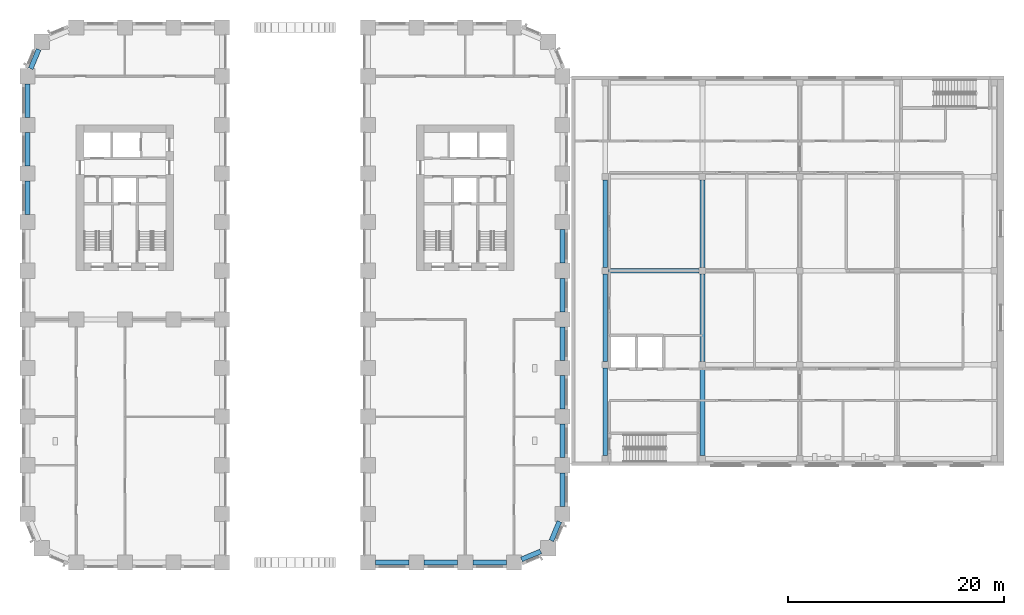
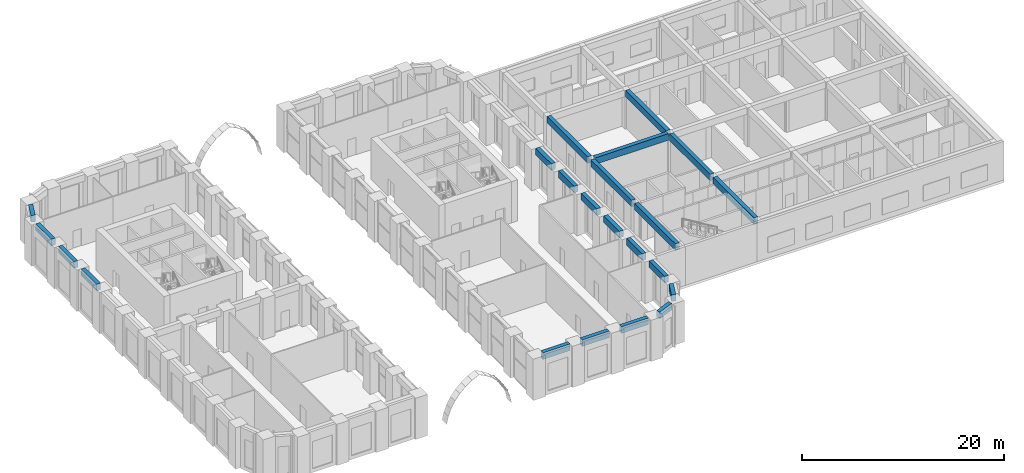
# One storey, part 4 of 24: 22 beams.
"""IFC4 building model written with IfcOpenShell, lengths in metres."""

from ifc_helpers import new_model, si_unit, direction, frame, origin, origin_2d, place, context, subcontext, project, spatial, rectangle, extrude, material, material_profile, profile_set, type_object, element, save


model = new_model("IFC4")

# Units and contexts
model_context = context("Model", 3, precision=1e-05, world=origin(), true_north=direction((0.0, 1.0)))
body_context = subcontext(model_context, "Body", "Model", "MODEL_VIEW")
ifc_project = project(units=[si_unit("LENGTHUNIT", "METRE"), si_unit("AREAUNIT", "SQUARE_METRE"), si_unit("VOLUMEUNIT", "CUBIC_METRE"), si_unit("PLANEANGLEUNIT", "RADIAN"), si_unit("MASSUNIT", "GRAM", prefix="KILO")], contexts=[model_context])

# Site, building, storey
site_placement = place(None, origin())
site = spatial("IfcSite", under=ifc_project, at=site_placement, CompositionType="ELEMENT")
building_placement = place(site_placement, origin())
building = spatial("IfcBuilding", under=site, at=building_placement, Name="Girih Gate Residences", CompositionType="ELEMENT")
storey_placement = place(building_placement, frame((0.0, 0.0, 11.0)))
storey = spatial("IfcBuildingStorey", under=building, at=storey_placement, Name="L02", CompositionType="ELEMENT", Elevation=11.0)

# Beams
ifc_material_1 = material(Name="Concrete C40/50", Category="concrete")
ifc_material_profile_1 = material_profile(ifc_material_1, rectangle(XDim=0.449951171875, YDim=0.800048828125, at=origin_2d()))
ifc_profile_set_1 = profile_set([ifc_material_profile_1], Name="Concrete C40/50")
beam_type_1 = type_object("IfcBeamType", Name="HC Beam 450x800 C40/50", PredefinedType="BEAM", material=ifc_profile_set_1)
beam_1_placement = place(storey_placement, frame((53.75, 27.0, 4.300048828125), z_axis=(1.0, 0.0, 0.0), x_axis=(0.0, 1.0, 0.0)))
element("IfcBeam", 1, at=beam_1_placement, inside=storey, type_object=beam_type_1, Name="L02 beam HC.1", PredefinedType="BEAM", context=body_context, shape_type="SweptSolid", body=[
    extrude(rectangle(XDim=0.449951171875, YDim=0.800048828125, at=origin_2d()), origin(), (0.0, 0.0, 1.0), 8.39990234375),
])
beam_2_placement = place(storey_placement, frame((53.449951171875, 9.89990234375, 4.300048828125), z_axis=(0.0, 1.0, 0.0), x_axis=(-1.0, 0.0, 0.0)))
element("IfcBeam", 2, at=beam_2_placement, inside=storey, type_object=beam_type_1, Name="L02 beam H1.1", PredefinedType="BEAM", context=body_context, shape_type="SweptSolid", body=[
    extrude(rectangle(XDim=0.449951171875, YDim=0.800048828125, at=origin_2d()), origin(), (0.0, 0.0, 1.0), 8.10009765625),
])
for number, where, z_axis, x_axis, name in (
    (3, (53.449951171875, 18.60009765625, 4.300048828125), (0.0, 1.0, 0.0), (-1.0, 0.0, 0.0), "L02 beam H1.2"),
    (4, (53.449951171875, 27.300048828125, 4.300048828125), (0.0, 1.0, 0.0), (-1.0, 0.0, 0.0), "L02 beam H1.3"),
):
    element("IfcBeam", number, at=place(storey_placement, frame(where, z_axis=z_axis, x_axis=x_axis)), inside=storey, type_object=beam_type_1, Name=name, PredefinedType="BEAM", context=body_context, shape_type="SweptSolid", body=[
        extrude(rectangle(XDim=0.449951171875, YDim=0.800048828125, at=origin_2d()), origin(), (0.0, 0.0, 1.0), 8.099853515625),
    ])
beam_3_placement = place(storey_placement, frame((62.449951171875, 9.89990234375, 4.300048828125), z_axis=(0.0, 1.0, 0.0), x_axis=(-1.0, 0.0, 0.0)))
element("IfcBeam", 5, at=beam_3_placement, inside=storey, type_object=beam_type_1, Name="L02 beam H2.1", PredefinedType="BEAM", context=body_context, shape_type="SweptSolid", body=[
    extrude(rectangle(XDim=0.449951171875, YDim=0.800048828125, at=origin_2d()), origin(), (0.0, 0.0, 1.0), 8.10009765625),
])
for number, where, z_axis, x_axis, name in (
    (6, (62.449951171875, 18.60009765625, 4.300048828125), (0.0, 1.0, 0.0), (-1.0, 0.0, 0.0), "L02 beam H2.2"),
    (7, (62.449951171875, 27.300048828125, 4.300048828125), (0.0, 1.0, 0.0), (-1.0, 0.0, 0.0), "L02 beam H2.3"),
):
    element("IfcBeam", number, at=place(storey_placement, frame(where, z_axis=z_axis, x_axis=x_axis)), inside=storey, type_object=beam_type_1, Name=name, PredefinedType="BEAM", context=body_context, shape_type="SweptSolid", body=[
        extrude(rectangle(XDim=0.449951171875, YDim=0.800048828125, at=origin_2d()), origin(), (0.0, 0.0, 1.0), 8.099853515625),
    ])
ifc_material_2 = material(Name="Concrete C60/75", Category="concrete")
ifc_material_profile_2 = material_profile(ifc_material_2, rectangle(XDim=0.449951171875, YDim=0.800048828125, at=origin_2d()))
ifc_profile_set_2 = profile_set([ifc_material_profile_2], Name="Concrete C60/75")
beam_type_2 = type_object("IfcBeamType", Name="Spandrel girder RC 450x800 Concrete C60/75", PredefinedType="BEAM", material=ifc_profile_set_2)
beam_4_placement = place(storey_placement, frame((1.028076171875, 47.48193359375, 4.60009765625), z_axis=(-0.382646180293, -0.923894961945, 0.0), x_axis=(0.923894961945, -0.382646180293, 0.0)))
element("IfcBeam", 8, at=beam_4_placement, inside=storey, type_object=beam_type_2, Name="Spandrel girder SP-P1LSE-P1K L02", PredefinedType="BEAM", context=body_context, shape_type="SweptSolid", body=[
    extrude(rectangle(XDim=0.449951171875, YDim=0.800048828125, at=origin_2d()), origin(), (0.0, 0.0, 1.0), 1.9287109375),
])
for number, where, z_axis, x_axis, name in (
    (9, (0.0, 44.300048828125, 4.60009765625), (0.0, -1.0, 0.0), (1.0, 0.0, 0.0), "Spandrel girder SP-P1K-P1J L02"),
    (10, (0.0, 39.800048828125, 4.60009765625), (0.0, -1.0, 0.0), (1.0, 0.0, 0.0), "Spandrel girder SP-P1J-P1I L02"),
    (11, (0.0, 35.300048828125, 4.60009765625), (0.0, -1.0, 0.0), (1.0, 0.0, 0.0), "Spandrel girder SP-P1I-P1H L02"),
    (12, (32.199951171875, 0.0, 4.60009765625), (1.0, 0.0, 0.0), (0.0, 1.0, 0.0), "Spandrel girder SP-P8A-P9A L02"),
    (13, (36.699951171875, 0.0, 4.60009765625), (1.0, 0.0, 0.0), (0.0, 1.0, 0.0), "Spandrel girder SP-P9A-P10A L02"),
    (14, (41.199951171875, 0.0, 4.60009765625), (1.0, 0.0, 0.0), (0.0, 1.0, 0.0), "Spandrel girder SP-P10A-P11A L02"),
):
    element("IfcBeam", number, at=place(storey_placement, frame(where, z_axis=z_axis, x_axis=x_axis)), inside=storey, type_object=beam_type_2, Name=name, PredefinedType="BEAM", context=body_context, shape_type="SweptSolid", body=[
        extrude(rectangle(XDim=0.449951171875, YDim=0.800048828125, at=origin_2d()), origin(), (0.0, 0.0, 1.0), 3.10009765625),
    ])
for number, where, z_axis, x_axis, name in (
    (15, (45.699951171875, 0.2900390625, 4.60009765625), (0.923894961945, 0.382646180293, 0.0), (-0.382646180293, 0.923894961945, 0.0), "Spandrel girder SP-P11A-P12ANW L02"),
    (16, (48.471923828125, 2.01806640625, 4.60009765625), (0.382646180293, 0.923894961945, 0.0), (-0.923894961945, 0.382646180293, 0.0), "Spandrel girder SP-P12ANW-P12B L02"),
):
    element("IfcBeam", number, at=place(storey_placement, frame(where, z_axis=z_axis, x_axis=x_axis)), inside=storey, type_object=beam_type_2, Name=name, PredefinedType="BEAM", context=body_context, shape_type="SweptSolid", body=[
        extrude(rectangle(XDim=0.449951171875, YDim=0.800048828125, at=origin_2d()), origin(), (0.0, 0.0, 1.0), 1.9287109375),
    ])
for number, where, z_axis, x_axis, name in (
    (17, (49.5, 5.199951171875, 4.60009765625), (0.0, 1.0, 0.0), (-1.0, 0.0, 0.0), "Spandrel girder SP-P12B-P12C L02"),
    (18, (49.5, 9.699951171875, 4.60009765625), (0.0, 1.0, 0.0), (-1.0, 0.0, 0.0), "Spandrel girder SP-P12C-P12D L02"),
    (19, (49.5, 14.199951171875, 4.60009765625), (0.0, 1.0, 0.0), (-1.0, 0.0, 0.0), "Spandrel girder SP-P12D-P12E L02"),
    (20, (49.5, 18.699951171875, 4.60009765625), (0.0, 1.0, 0.0), (-1.0, 0.0, 0.0), "Spandrel girder SP-P12E-P12F L02"),
    (21, (49.5, 23.199951171875, 4.60009765625), (0.0, 1.0, 0.0), (-1.0, 0.0, 0.0), "Spandrel girder SP-P12F-P12G L02"),
    (22, (49.5, 27.699951171875, 4.60009765625), (0.0, 1.0, 0.0), (-1.0, 0.0, 0.0), "Spandrel girder SP-P12G-P12H L02"),
):
    element("IfcBeam", number, at=place(storey_placement, frame(where, z_axis=z_axis, x_axis=x_axis)), inside=storey, type_object=beam_type_2, Name=name, PredefinedType="BEAM", context=body_context, shape_type="SweptSolid", body=[
        extrude(rectangle(XDim=0.449951171875, YDim=0.800048828125, at=origin_2d()), origin(), (0.0, 0.0, 1.0), 3.10009765625),
    ])

save(model, "model.ifc")
